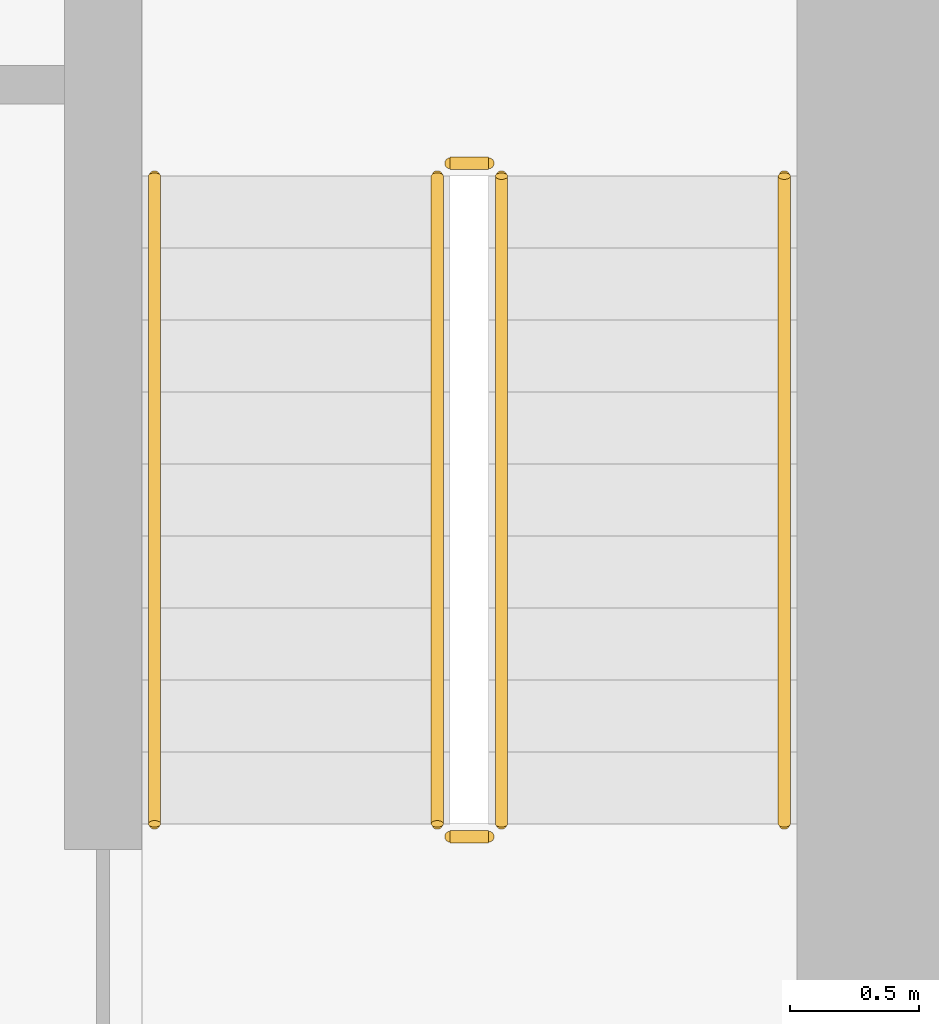
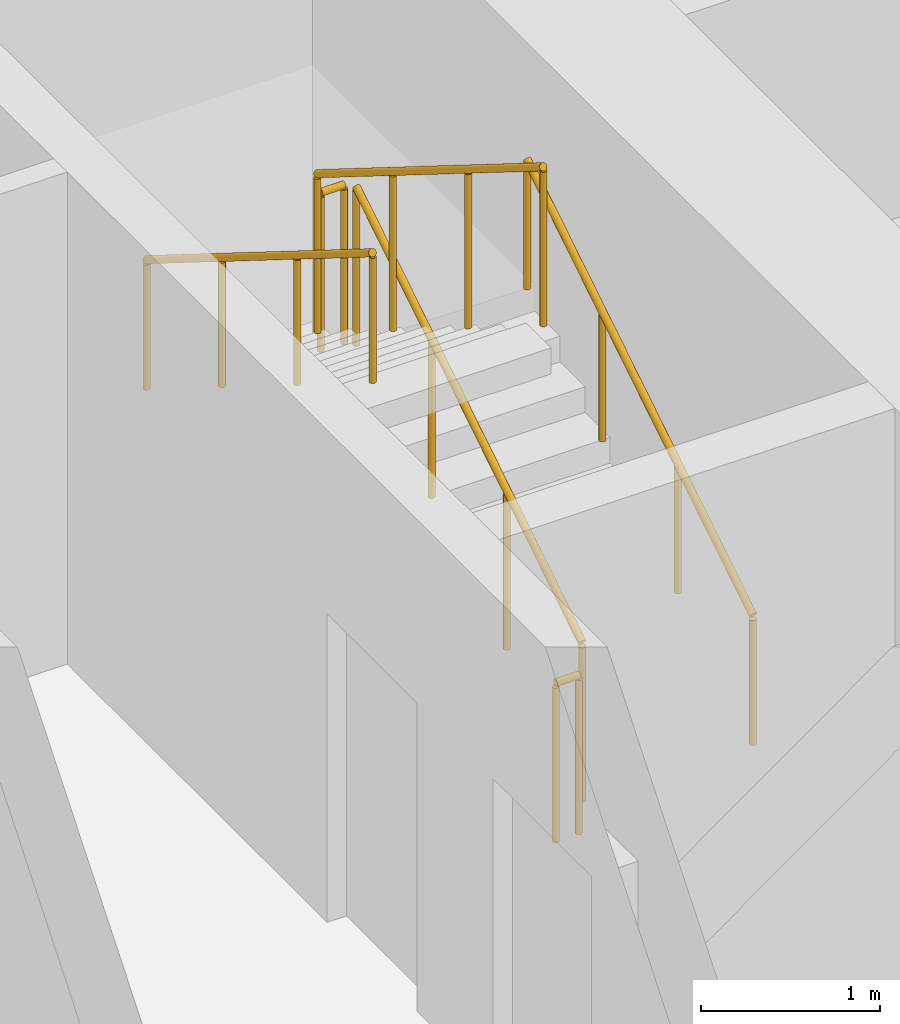
# One storey, part 11 of 11: 6 railings.
"""IFC4 building model written with IfcOpenShell, lengths in metres."""

import ifcopenshell
import ifcopenshell.guid

model = None  # the IFC model being written
_history = None  # IfcOwnerHistory: only IFC2X3 demands one
_inside = {}  # id of a spatial element -> (the spatial element, [elements in it])
_under = {}  # id of a project, library or spatial element -> (it, [spatial elements below it])
_declared = {}  # id of a project -> (the project, [libraries it declares])
_typed = {}  # id of a type object -> (the type object, [elements of that type])
_made_of = {}  # id of a material, layer set ... -> (it, [elements and type objects made of it])


def new_model(schema):
    """Start an empty IFC model of exactly this schema.

    Asked for "IFC4X3", IfcOpenShell would pick the latest addendum, in which some entities
    have other attributes; the version numbers below select the first issue.
    IFC2X3 requires an IfcOwnerHistory on every rooted entity: one is made here for all.
    """
    global model, _history
    if schema == "IFC4X3":
        model = ifcopenshell.file(schema_version=(4, 3, 0, 0))
    else:
        model = ifcopenshell.file(schema=schema)
    _inside.clear()
    _under.clear()
    _declared.clear()
    _typed.clear()
    _made_of.clear()
    _history = None
    if model.schema == "IFC2X3":
        org = make("IfcOrganization", Name="unknown")
        user = make(
            "IfcPersonAndOrganization",
            ThePerson=make("IfcPerson", FamilyName="unknown"),
            TheOrganization=org,
        )
        app = make(
            "IfcApplication",
            ApplicationDeveloper=org,
            Version="unknown",
            ApplicationFullName="unknown",
            ApplicationIdentifier="unknown",
        )
        _history = make(
            "IfcOwnerHistory",
            OwningUser=user,
            OwningApplication=app,
            ChangeAction="ADDED",
            CreationDate=0,
        )
    return model


def make(cls, **values):
    """One entity of the class cls with the attributes given. An attribute that is None is left unset."""
    return model.create_entity(
        cls, **{name: value for name, value in values.items() if value is not None}
    )


def rooted(cls, **values):
    """An entity with a GlobalId (a new one), such as an element, a storey or a relation."""
    return make(cls, GlobalId=ifcopenshell.guid.new(), OwnerHistory=_history, **values)


def si_unit(unit_type, name, prefix=None):
    """IfcSIUnit, for example si_unit("LENGTHUNIT", "METRE", prefix="MILLI")."""
    return make("IfcSIUnit", UnitType=unit_type, Prefix=prefix, Name=name)


def assignment(units):
    """IfcUnitAssignment: the units of a project."""
    return None if units is None else make("IfcUnitAssignment", Units=units)


def point(xyz):
    """IfcCartesianPoint."""
    return None if xyz is None else make("IfcCartesianPoint", Coordinates=xyz)


def direction(xyz):
    """IfcDirection."""
    return None if xyz is None else make("IfcDirection", DirectionRatios=xyz)


def frame(location, z_axis=None, x_axis=None):
    """IfcAxis2Placement3D, a coordinate frame: its origin and axes. An axis left out is left unset."""
    return make(
        "IfcAxis2Placement3D",
        Location=point(location),
        Axis=direction(z_axis),
        RefDirection=direction(x_axis),
    )


def frame_2d(location, x_axis=None):
    """IfcAxis2Placement2D, a coordinate frame in the plane: its origin and x axis."""
    return make(
        "IfcAxis2Placement2D", Location=point(location), RefDirection=direction(x_axis)
    )


def origin():
    """The frame at (0, 0, 0) with its axes left unset."""
    return frame((0.0, 0.0, 0.0))


def origin_2d():
    """The frame at (0, 0) in the plane with its x axis left unset."""
    return frame_2d((0.0, 0.0))


def place(relative_to, where):
    """IfcLocalPlacement: puts the frame where relative to a parent placement (None: the world)."""
    return make(
        "IfcLocalPlacement", PlacementRelTo=relative_to, RelativePlacement=where
    )


def context(
    kind, dimensions, precision=None, world=None, true_north=None, identifier=None
):
    """IfcGeometricRepresentationContext, for example the 3D "Model" context."""
    return make(
        "IfcGeometricRepresentationContext",
        ContextIdentifier=identifier,
        ContextType=kind,
        CoordinateSpaceDimension=dimensions,
        Precision=precision,
        WorldCoordinateSystem=world,
        TrueNorth=true_north,
    )


def subcontext(parent, identifier, kind, view, scale=None):
    """IfcGeometricRepresentationSubContext, for example "Body" below "Model"."""
    return make(
        "IfcGeometricRepresentationSubContext",
        ContextIdentifier=identifier,
        ContextType=kind,
        ParentContext=parent,
        TargetScale=scale,
        TargetView=view,
    )


def project(units=None, contexts=None):
    """IfcProject with its units and contexts."""
    return rooted(
        "IfcProject",
        Name="project",
        RepresentationContexts=contexts,
        UnitsInContext=assignment(units),
    )


def spatial(cls, under=None, at=None, **own):
    """A site, building, storey or space (cls), placed at a placement, below another one or the project."""
    s = rooted(cls, ObjectPlacement=at, **own)
    if under is not None:
        _under.setdefault(under.id(), (under, []))[1].append(s)
    return s


def profile(cls, at=None, kind="AREA", **sizes):
    """A parametric profile (cls). Its sizes go by their IFC names, for example OverallWidth=200.0."""
    return make(cls, ProfileType=kind, Position=at, **sizes)


def circle(**sizes):
    """IfcCircleProfileDef."""
    return profile("IfcCircleProfileDef", **sizes)


def extrude(swept, where, along, depth):
    """IfcExtrudedAreaSolid: the profile swept, set in the frame where, extruded along a direction by depth."""
    return make(
        "IfcExtrudedAreaSolid",
        SweptArea=swept,
        Position=where,
        ExtrudedDirection=direction(along),
        Depth=depth,
    )


def shape(context_of_items, identifier, shape_type, items):
    """IfcShapeRepresentation: the items that make up one representation, for example the "Body"."""
    return make(
        "IfcShapeRepresentation",
        ContextOfItems=context_of_items,
        RepresentationIdentifier=identifier,
        RepresentationType=shape_type,
        Items=items,
    )


def material(Name=None, Category=None):
    """IfcMaterial."""
    return make("IfcMaterial", Name=Name, Category=Category)


def made_of(thing, what):
    """Note that an element or type object is made of a material, layer set ...; save() writes the relation."""
    if what is not None:
        _made_of.setdefault(what.id(), (what, []))[1].append(thing)
    return thing


def type_object(cls, material=None, **own):
    """A type object (cls), such as IfcWallType, which elements share."""
    return made_of(rooted(cls, **own), material)


def element(
    cls,
    number,
    at=None,
    inside=None,
    cuts=None,
    type_object=None,
    material=None,
    context=None,
    identifier="Body",
    shape_type=None,
    held_by="IfcProductDefinitionShape",
    body=None,
    shapes=None,
    **own,
):
    """One element of the class cls, such as IfcWall. Its Tag is "e" and its number.

    at: its placement. inside: the storey or other place that contains it. cuts: it is an
    opening in that element (IfcRelVoidsElement). A single representation is given by context,
    identifier, shape_type and body (its items); several are given by shapes. held_by: the class
    of the entity that holds the representations. save() writes the other relations.
    """
    e = rooted(cls, Tag="e%d" % number, ObjectPlacement=at, **own)
    if body is not None:
        shapes = [shape(context, identifier, shape_type, body)]
    if shapes is not None:
        e.Representation = make(held_by, Representations=shapes)
    if inside is not None:
        _inside.setdefault(inside.id(), (inside, []))[1].append(e)
    if cuts is not None:
        rooted(
            "IfcRelVoidsElement", RelatingBuildingElement=cuts, RelatedOpeningElement=e
        )
    if type_object is not None:
        _typed.setdefault(type_object.id(), (type_object, []))[1].append(e)
    return made_of(e, material)


def aggregate(whole, parts):
    """IfcRelAggregates: a whole, such as a stair, and the parts it consists of."""
    return rooted("IfcRelAggregates", RelatingObject=whole, RelatedObjects=parts)


def save(model, path):
    """Write the relations noted so far, then the file.

    IfcRelAggregates (storeys below a building ...), IfcRelContainedInSpatialStructure (elements
    in a storey), IfcRelDefinesByType, IfcRelAssociatesMaterial and IfcRelDeclares: one each for
    every whole, place, type object, material and project.
    """
    for whole, parts in _under.values():
        aggregate(whole, parts)
    for where, things in _inside.values():
        rooted(
            "IfcRelContainedInSpatialStructure",
            RelatedElements=things,
            RelatingStructure=where,
        )
    for kind, things in _typed.values():
        rooted("IfcRelDefinesByType", RelatedObjects=things, RelatingType=kind)
    for what, things in _made_of.values():
        rooted("IfcRelAssociatesMaterial", RelatedObjects=things, RelatingMaterial=what)
    for by, libraries in _declared.values():
        rooted("IfcRelDeclares", RelatingContext=by, RelatedDefinitions=libraries)
    model.write(path)


model = new_model("IFC4")

# Units and contexts
model_context = context("Model", 3, precision=1e-05, world=origin(), true_north=direction((0.0, 1.0)))
body_context = subcontext(model_context, "Body", "Model", "MODEL_VIEW")
ifc_project = project(units=[si_unit("LENGTHUNIT", "METRE"), si_unit("AREAUNIT", "SQUARE_METRE"), si_unit("VOLUMEUNIT", "CUBIC_METRE"), si_unit("PLANEANGLEUNIT", "RADIAN"), si_unit("MASSUNIT", "GRAM", prefix="KILO")], contexts=[model_context])

# Site, building, storey
site_placement = place(None, origin())
site = spatial("IfcSite", under=ifc_project, at=site_placement, CompositionType="ELEMENT")
building_placement = place(site_placement, origin())
building = spatial("IfcBuilding", under=site, at=building_placement, Name="Aloe Facet Convention Tower", CompositionType="ELEMENT")
storey_placement = place(building_placement, frame((0.0, 0.0, 49.0)))
storey = spatial("IfcBuildingStorey", under=building, at=storey_placement, Name="L10", CompositionType="ELEMENT", Elevation=49.0)

# Railings
ifc_material_1 = material(Name="Steel S355 balustrade", Category="steel")
railing_type_1 = type_object("IfcRailingType", Name="CR-RL-GUARD", PredefinedType="GUARDRAIL", material=ifc_material_1)
railing_1_placement = place(storey_placement, frame((89.25, 128.949951171875, 0.175048828125)))
element("IfcRailing", 1, at=railing_1_placement, inside=storey, type_object=railing_type_1, Name="L10 ST2 stair guard 1", PredefinedType="GUARDRAIL", context=body_context, shape_type="SweptSolid", body=[
    extrude(circle(Radius=0.02392578125, at=origin_2d()), frame((0.0, 0.0, 1.076171875), z_axis=(0.0, 0.848007534815, 0.529984170421), x_axis=(-1.0, 0.0, 0.0)), (0.0, 0.0, 1.0), 2.9716796875),
    extrude(circle(Radius=0.02099609375, at=origin_2d()), origin(), (0.0, 0.0, 1.0), 1.052001953125),
    extrude(circle(Radius=0.02099609375, at=origin_2d()), frame((0.0, 0.840087890625, 0.52490234375)), (0.0, 0.0, 1.0), 1.052001953125),
    extrude(circle(Radius=0.02099609375, at=origin_2d()), frame((0.0, 1.679931640625, 1.050048828125)), (0.0, 0.0, 1.0), 1.052001953125),
    extrude(circle(Radius=0.02099609375, at=origin_2d()), frame((0.0, 2.52001953125, 1.574951171875)), (0.0, 0.0, 1.0), 1.052001953125),
])
railing_2_placement = place(storey_placement, frame((89.199951171875, 131.52001953125, 1.75)))
element("IfcRailing", 2, at=railing_2_placement, inside=storey, type_object=railing_type_1, Name="L10 ST2 stair guard 2", PredefinedType="GUARDRAIL", context=body_context, shape_type="SweptSolid", body=[
    extrude(circle(Radius=0.02392578125, at=origin_2d()), frame((0.0, 0.0, 1.076171875), z_axis=(-1.0, 0.0, 0.0), x_axis=(0.0, -1.0, 0.0)), (0.0, 0.0, 1.0), 0.14990234375),
    extrude(circle(Radius=0.02099609375, at=origin_2d()), origin(), (0.0, 0.0, 1.0), 1.052001953125),
    extrude(circle(Radius=0.02099609375, at=origin_2d()), frame((-0.14990234375, 0.0, 0.0)), (0.0, 0.0, 1.0), 1.052001953125),
])
railing_3_placement = place(storey_placement, frame((89.0, 131.469970703125, 1.925048828125)))
element("IfcRailing", 3, at=railing_3_placement, inside=storey, type_object=railing_type_1, Name="L10 ST2 stair guard 3", PredefinedType="GUARDRAIL", context=body_context, shape_type="SweptSolid", body=[
    extrude(circle(Radius=0.02392578125, at=origin_2d()), frame((0.0, 0.0, 1.076171875), z_axis=(0.0, -0.848007534815, 0.529984170421), x_axis=(1.0, 0.0, 0.0)), (0.0, 0.0, 1.0), 2.9716796875),
    extrude(circle(Radius=0.02099609375, at=origin_2d()), origin(), (0.0, 0.0, 1.0), 1.052001953125),
    extrude(circle(Radius=0.02099609375, at=origin_2d()), frame((0.0, -0.840087890625, 0.52490234375)), (0.0, 0.0, 1.0), 1.052001953125),
    extrude(circle(Radius=0.02099609375, at=origin_2d()), frame((0.0, -1.679931640625, 1.050048828125)), (0.0, 0.0, 1.0), 1.052001953125),
    extrude(circle(Radius=0.02099609375, at=origin_2d()), frame((0.0, -2.52001953125, 1.574951171875)), (0.0, 0.0, 1.0), 1.052001953125),
])
railing_4_placement = place(storey_placement, frame((89.199951171875, 128.89990234375, 0.0)))
element("IfcRailing", 4, at=railing_4_placement, inside=storey, type_object=railing_type_1, Name="L10 ST2 stair guard 4", PredefinedType="GUARDRAIL", context=body_context, shape_type="SweptSolid", body=[
    extrude(circle(Radius=0.02392578125, at=origin_2d()), frame((0.0, 0.0, 1.076171875), z_axis=(-1.0, 0.0, 0.0), x_axis=(0.0, -1.0, 0.0)), (0.0, 0.0, 1.0), 0.14990234375),
    extrude(circle(Radius=0.02099609375, at=origin_2d()), origin(), (0.0, 0.0, 1.0), 1.052001953125),
    extrude(circle(Radius=0.02099609375, at=origin_2d()), frame((-0.14990234375, 0.0, 0.0)), (0.0, 0.0, 1.0), 1.052001953125),
])
ifc_material_2 = material(Name="Steel S355 handrail", Category="steel")
railing_type_2 = type_object("IfcRailingType", Name="CR-RL-HAND", PredefinedType="HANDRAIL", material=ifc_material_2)
railing_5_placement = place(storey_placement, frame((90.35009765625, 128.949951171875, 0.175048828125)))
element("IfcRailing", 5, at=railing_5_placement, inside=storey, type_object=railing_type_2, Name="L10 ST2 stair handrail 1", PredefinedType="HANDRAIL", context=body_context, shape_type="SweptSolid", body=[
    extrude(circle(Radius=0.02392578125, at=origin_2d()), frame((0.0, 0.0, 0.8759765625), z_axis=(0.0, 0.848007534815, 0.529984170421), x_axis=(-1.0, 0.0, 0.0)), (0.0, 0.0, 1.0), 2.9716796875),
    extrude(circle(Radius=0.02099609375, at=origin_2d()), origin(), (0.0, 0.0, 1.0), 0.851806640625),
    extrude(circle(Radius=0.02099609375, at=origin_2d()), frame((0.0, 0.840087890625, 0.52490234375)), (0.0, 0.0, 1.0), 0.851806640625),
    extrude(circle(Radius=0.02099609375, at=origin_2d()), frame((0.0, 1.679931640625, 1.050048828125)), (0.0, 0.0, 1.0), 0.851806640625),
    extrude(circle(Radius=0.02099609375, at=origin_2d()), frame((0.0, 2.52001953125, 1.574951171875)), (0.0, 0.0, 1.0), 0.851806640625),
])
railing_6_placement = place(storey_placement, frame((87.89990234375, 131.469970703125, 1.925048828125)))
element("IfcRailing", 6, at=railing_6_placement, inside=storey, type_object=railing_type_2, Name="L10 ST2 stair handrail 2", PredefinedType="HANDRAIL", context=body_context, shape_type="SweptSolid", body=[
    extrude(circle(Radius=0.02392578125, at=origin_2d()), frame((0.0, 0.0, 0.8759765625), z_axis=(0.0, -0.848007534815, 0.529984170421), x_axis=(1.0, 0.0, 0.0)), (0.0, 0.0, 1.0), 2.9716796875),
    extrude(circle(Radius=0.02099609375, at=origin_2d()), origin(), (0.0, 0.0, 1.0), 0.851806640625),
    extrude(circle(Radius=0.02099609375, at=origin_2d()), frame((0.0, -0.840087890625, 0.52490234375)), (0.0, 0.0, 1.0), 0.851806640625),
    extrude(circle(Radius=0.02099609375, at=origin_2d()), frame((0.0, -1.679931640625, 1.050048828125)), (0.0, 0.0, 1.0), 0.851806640625),
    extrude(circle(Radius=0.02099609375, at=origin_2d()), frame((0.0, -2.52001953125, 1.574951171875)), (0.0, 0.0, 1.0), 0.851806640625),
])

save(model, "model.ifc")
